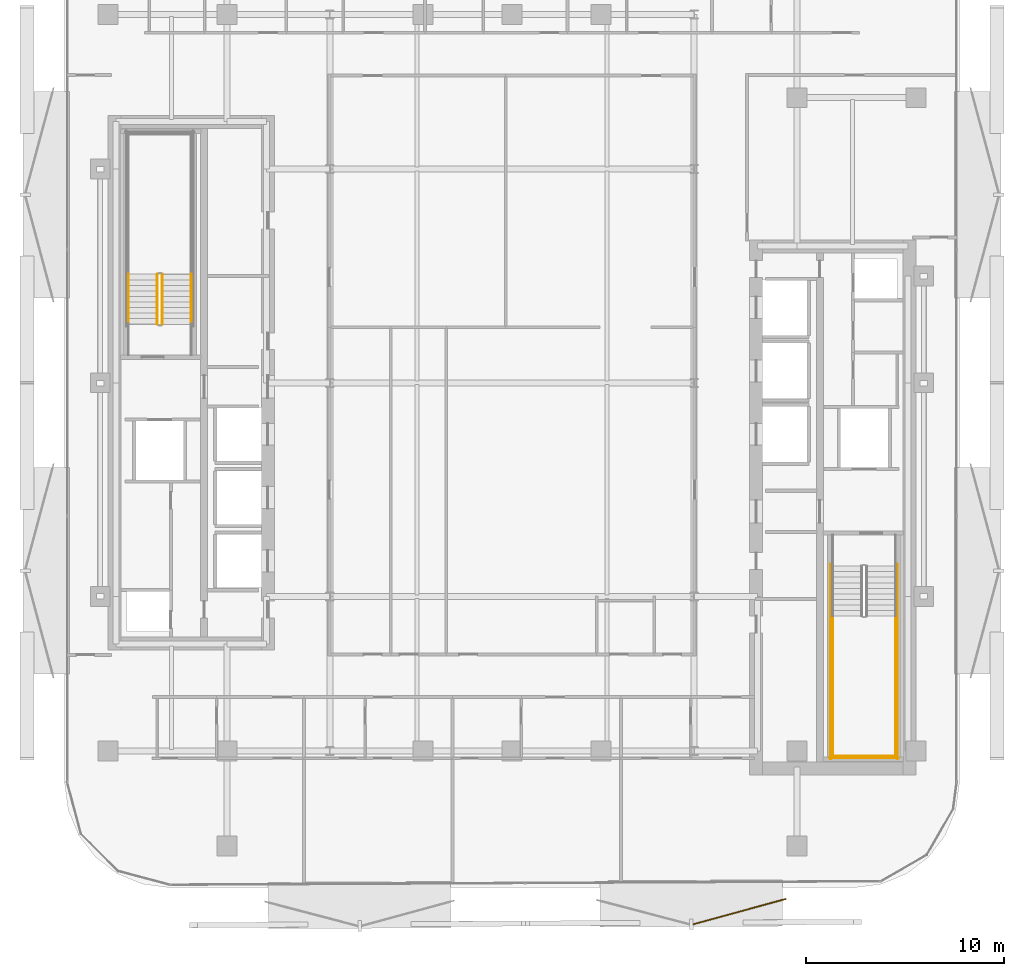
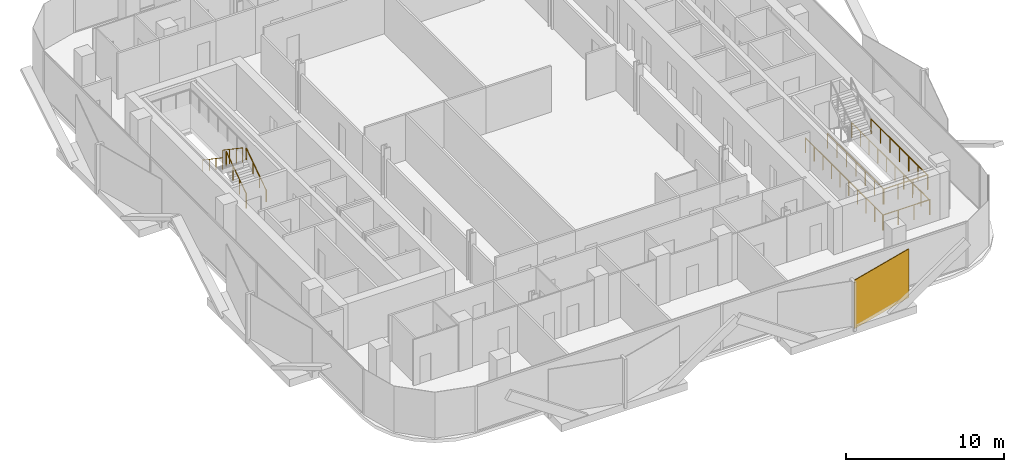
# One storey, part 14 of 17: 10 railings, 1 covering.
"""IFC4 building model written with IfcOpenShell, lengths in metres."""

from ifc_helpers import new_model, si_unit, direction, frame, origin, origin_2d, place, context, subcontext, project, spatial, rectangle, circle, extrude, material, layer, layer_set, type_object, element, save


model = new_model("IFC4")

# Units and contexts
model_context = context("Model", 3, precision=1e-05, world=origin(), true_north=direction((0.0, 1.0)))
body_context = subcontext(model_context, "Body", "Model", "MODEL_VIEW")
ifc_project = project(units=[si_unit("LENGTHUNIT", "METRE"), si_unit("AREAUNIT", "SQUARE_METRE"), si_unit("VOLUMEUNIT", "CUBIC_METRE"), si_unit("PLANEANGLEUNIT", "RADIAN"), si_unit("MASSUNIT", "GRAM", prefix="KILO")], contexts=[model_context])

# Site, building, storey
site_placement = place(None, origin())
site = spatial("IfcSite", under=ifc_project, at=site_placement, CompositionType="ELEMENT")
building_placement = place(site_placement, origin())
building = spatial("IfcBuilding", under=site, at=building_placement, Name="Khairoan Windgate Tower", CompositionType="ELEMENT")
storey_placement = place(building_placement, frame((0.0, 0.0, 191.60009765625)))
storey = spatial("IfcBuildingStorey", under=building, at=storey_placement, Name="L44", CompositionType="ELEMENT", Elevation=191.60009765625)

# Covering
ifc_material_1 = material(Name="Anodised Bronze Aluminium 6063-T6", Category="aluminium")
ifc_layer = layer(ifc_material_1, 0.054931640625, Name="Anodised Bronze Aluminium 6063-T6")
ifc_layer_set = layer_set([ifc_layer], Name="Anodised Bronze Aluminium 6063-T6")
covering_type = type_object("IfcCoveringType", Name="Perforated Bronze-Ceramic Folded Solar Screen Cladding BSC-1", PredefinedType="CLADDING", material=ifc_layer_set)
covering_placement = place(storey_placement, frame((11.498779296875, -26.708984375, -0.10009765625), z_axis=(0.0, 0.0, 1.0), x_axis=(-0.964649468762, -0.263536339841, 0.0)))
element("IfcCovering", 1, at=covering_placement, inside=storey, type_object=covering_type, Name="L44 Folded Bronze Solar Screen Facet 289L", PredefinedType="CLADDING", context=body_context, shape_type="SweptSolid", body=[
    extrude(rectangle(XDim=4.861083984375, YDim=0.054931640625, at=origin_2d()), origin(), (0.0, 0.0, 1.0), 3.739990234375),
])

# Railings
ifc_material_2 = material(Name="Anodised Bronze Aluminium 6063-T6", Category="aluminium")
railing_type_1 = type_object("IfcRailingType", Name="Stair Wall Handrail SHR-900", PredefinedType="HANDRAIL", material=ifc_material_2)
railing_1_placement = place(storey_placement, frame((-16.199951171875, 2.9599609375, 0.18994140625)))
element("IfcRailing", 2, at=railing_1_placement, inside=storey, type_object=railing_type_1, Name="L44 ST2 stair handrail 1", PredefinedType="HANDRAIL", context=body_context, shape_type="SweptSolid", body=[
    extrude(circle(Radius=0.02392578125, at=origin_2d()), frame((0.0, 0.0, 0.8759765625), z_axis=(0.0, 0.827483756001, 0.561489655786), x_axis=(-1.0, 0.0, 0.0)), (0.0, 0.0, 1.0), 3.04541015625),
    extrude(circle(Radius=0.02099609375, at=origin_2d()), origin(), (0.0, 0.0, 1.0), 0.851806640625),
    extrude(circle(Radius=0.02099609375, at=origin_2d()), frame((0.0, 0.840087890625, 0.570068359375)), (0.0, 0.0, 1.0), 0.851806640625),
    extrude(circle(Radius=0.02099609375, at=origin_2d()), frame((0.0, 1.679931640625, 1.139892578125)), (0.0, 0.0, 1.0), 0.851806640625),
    extrude(circle(Radius=0.02099609375, at=origin_2d()), frame((0.0, 2.52001953125, 1.7099609375)), (0.0, 0.0, 1.0), 0.851806640625),
])
railing_2_placement = place(storey_placement, frame((-19.3701171875, 5.47998046875, 2.08984375)))
element("IfcRailing", 3, at=railing_2_placement, inside=storey, type_object=railing_type_1, Name="L44 ST2 stair handrail 2", PredefinedType="HANDRAIL", context=body_context, shape_type="SweptSolid", body=[
    extrude(circle(Radius=0.02392578125, at=origin_2d()), frame((0.0, 0.0, 0.8759765625), z_axis=(0.0, -0.827483756001, 0.561489655786), x_axis=(1.0, 0.0, 0.0)), (0.0, 0.0, 1.0), 3.04541015625),
    extrude(circle(Radius=0.02099609375, at=origin_2d()), origin(), (0.0, 0.0, 1.0), 0.851806640625),
    extrude(circle(Radius=0.02099609375, at=origin_2d()), frame((0.0, -0.840087890625, 0.570068359375)), (0.0, 0.0, 1.0), 0.851806640625),
    extrude(circle(Radius=0.02099609375, at=origin_2d()), frame((0.0, -1.679931640625, 1.139892578125)), (0.0, 0.0, 1.0), 0.851806640625),
    extrude(circle(Radius=0.02099609375, at=origin_2d()), frame((0.0, -2.52001953125, 1.7099609375)), (0.0, 0.0, 1.0), 0.851806640625),
])
ifc_material_3 = material(Name="Steel S355", Category="steel")
railing_type_2 = type_object("IfcRailingType", Name="Stairwell Safety Guardrail SGR-1150", PredefinedType="GUARDRAIL", material=ifc_material_3)
for number, where, name in (
    (4, (16.199951171875, -11.780029296875, 1.89990234375), "L44 ST1 stair guard 3"),
    (5, (19.3701171875, -11.780029296875, 1.89990234375), "L44 ST1 stair guard 4"),
):
    element("IfcRailing", number, at=place(storey_placement, frame(where)), inside=storey, type_object=railing_type_2, Name=name, PredefinedType="GUARDRAIL", context=body_context, shape_type="SweptSolid", body=[
        extrude(circle(Radius=0.02392578125, at=origin_2d()), frame((0.0, 0.0, 1.1259765625), z_axis=(0.0, -1.0, 0.0), x_axis=(1.0, 0.0, 0.0)), (0.0, 0.0, 1.0), 7.119873046875),
        extrude(circle(Radius=0.02099609375, at=origin_2d()), origin(), (0.0, 0.0, 1.0), 1.101806640625),
        extrude(circle(Radius=0.02099609375, at=origin_2d()), frame((0.0, -1.1865234375, 0.0)), (0.0, 0.0, 1.0), 1.101806640625),
        extrude(circle(Radius=0.02099609375, at=origin_2d()), frame((0.0, -2.373291015625, 0.0)), (0.0, 0.0, 1.0), 1.101806640625),
        extrude(circle(Radius=0.02099609375, at=origin_2d()), frame((0.0, -3.56005859375, 0.0)), (0.0, 0.0, 1.0), 1.101806640625),
        extrude(circle(Radius=0.02099609375, at=origin_2d()), frame((0.0, -4.74658203125, 0.0)), (0.0, 0.0, 1.0), 1.101806640625),
        extrude(circle(Radius=0.02099609375, at=origin_2d()), frame((0.0, -5.93310546875, 0.0)), (0.0, 0.0, 1.0), 1.101806640625),
        extrude(circle(Radius=0.02099609375, at=origin_2d()), frame((0.0, -7.119873046875, 0.0)), (0.0, 0.0, 1.0), 1.101806640625),
    ])
railing_3_placement = place(storey_placement, frame((16.14990234375, -18.85009765625, 1.89990234375)))
element("IfcRailing", 6, at=railing_3_placement, inside=storey, type_object=railing_type_2, Name="L44 ST1 stair guard 5", PredefinedType="GUARDRAIL", context=body_context, shape_type="SweptSolid", body=[
    extrude(circle(Radius=0.02392578125, at=origin_2d()), frame((0.0, 0.0, 1.1259765625), z_axis=(1.0, 0.0, 0.0), x_axis=(0.0, 1.0, 0.0)), (0.0, 0.0, 1.0), 3.27001953125),
    extrude(circle(Radius=0.02099609375, at=origin_2d()), origin(), (0.0, 0.0, 1.0), 1.101806640625),
    extrude(circle(Radius=0.02099609375, at=origin_2d()), frame((1.090087890625, 0.0, 0.0)), (0.0, 0.0, 1.0), 1.101806640625),
    extrude(circle(Radius=0.02099609375, at=origin_2d()), frame((2.179931640625, 0.0, 0.0)), (0.0, 0.0, 1.0), 1.101806640625),
    extrude(circle(Radius=0.02099609375, at=origin_2d()), frame((3.27001953125, 0.0, 0.0)), (0.0, 0.0, 1.0), 1.101806640625),
])
for number, where, name in (
    (7, (16.10009765625, -9.159912109375, 0.0), "L44 ST1 stair guard 10"),
    (8, (19.469970703125, -9.159912109375, 0.0), "L44 ST1 stair guard 11"),
):
    element("IfcRailing", number, at=place(storey_placement, frame(where)), inside=storey, type_object=railing_type_2, Name=name, PredefinedType="GUARDRAIL", context=body_context, shape_type="SweptSolid", body=[
        extrude(circle(Radius=0.02392578125, at=origin_2d()), frame((0.0, 0.0, 1.1259765625), z_axis=(0.0, -1.0, 0.0), x_axis=(1.0, 0.0, 0.0)), (0.0, 0.0, 1.0), 9.840087890625),
        extrude(circle(Radius=0.02099609375, at=origin_2d()), origin(), (0.0, 0.0, 1.0), 1.101806640625),
        extrude(circle(Radius=0.02099609375, at=origin_2d()), frame((0.0, -1.09326171875, 0.0)), (0.0, 0.0, 1.0), 1.101806640625),
        extrude(circle(Radius=0.02099609375, at=origin_2d()), frame((0.0, -2.186767578125, 0.0)), (0.0, 0.0, 1.0), 1.101806640625),
        extrude(circle(Radius=0.02099609375, at=origin_2d()), frame((0.0, -3.280029296875, 0.0)), (0.0, 0.0, 1.0), 1.101806640625),
        extrude(circle(Radius=0.02099609375, at=origin_2d()), frame((0.0, -4.373291015625, 0.0)), (0.0, 0.0, 1.0), 1.101806640625),
        extrude(circle(Radius=0.02099609375, at=origin_2d()), frame((0.0, -5.466796875, 0.0)), (0.0, 0.0, 1.0), 1.101806640625),
        extrude(circle(Radius=0.02099609375, at=origin_2d()), frame((0.0, -6.56005859375, 0.0)), (0.0, 0.0, 1.0), 1.101806640625),
        extrude(circle(Radius=0.02099609375, at=origin_2d()), frame((0.0, -7.6533203125, 0.0)), (0.0, 0.0, 1.0), 1.101806640625),
        extrude(circle(Radius=0.02099609375, at=origin_2d()), frame((0.0, -8.746826171875, 0.0)), (0.0, 0.0, 1.0), 1.101806640625),
        extrude(circle(Radius=0.02099609375, at=origin_2d()), frame((0.0, -9.840087890625, 0.0)), (0.0, 0.0, 1.0), 1.101806640625),
    ])
railing_4_placement = place(storey_placement, frame((16.050048828125, -18.949951171875, 0.0)))
element("IfcRailing", 9, at=railing_4_placement, inside=storey, type_object=railing_type_2, Name="L44 ST1 stair guard 12", PredefinedType="GUARDRAIL", context=body_context, shape_type="SweptSolid", body=[
    extrude(circle(Radius=0.02392578125, at=origin_2d()), frame((0.0, 0.0, 1.1259765625), z_axis=(1.0, 0.0, 0.0), x_axis=(0.0, 1.0, 0.0)), (0.0, 0.0, 1.0), 3.469970703125),
    extrude(circle(Radius=0.02099609375, at=origin_2d()), origin(), (0.0, 0.0, 1.0), 1.101806640625),
    extrude(circle(Radius=0.02099609375, at=origin_2d()), frame((1.15673828125, 0.0, 0.0)), (0.0, 0.0, 1.0), 1.101806640625),
    extrude(circle(Radius=0.02099609375, at=origin_2d()), frame((2.313232421875, 0.0, 0.0)), (0.0, 0.0, 1.0), 1.101806640625),
    extrude(circle(Radius=0.02099609375, at=origin_2d()), frame((3.469970703125, 0.0, 0.0)), (0.0, 0.0, 1.0), 1.101806640625),
])
railing_5_placement = place(storey_placement, frame((-17.659912109375, 2.9599609375, 0.18994140625)))
element("IfcRailing", 10, at=railing_5_placement, inside=storey, type_object=railing_type_2, Name="L44 ST2 stair guard 1", PredefinedType="GUARDRAIL", context=body_context, shape_type="SweptSolid", body=[
    extrude(circle(Radius=0.02392578125, at=origin_2d()), frame((0.0, 0.0, 1.1259765625), z_axis=(0.0, 0.827483756001, 0.561489655786), x_axis=(-1.0, 0.0, 0.0)), (0.0, 0.0, 1.0), 3.04541015625),
    extrude(circle(Radius=0.02099609375, at=origin_2d()), origin(), (0.0, 0.0, 1.0), 1.101806640625),
    extrude(circle(Radius=0.02099609375, at=origin_2d()), frame((0.0, 0.840087890625, 0.570068359375)), (0.0, 0.0, 1.0), 1.101806640625),
    extrude(circle(Radius=0.02099609375, at=origin_2d()), frame((0.0, 1.679931640625, 1.139892578125)), (0.0, 0.0, 1.0), 1.101806640625),
    extrude(circle(Radius=0.02099609375, at=origin_2d()), frame((0.0, 2.52001953125, 1.7099609375)), (0.0, 0.0, 1.0), 1.101806640625),
])
railing_6_placement = place(storey_placement, frame((-17.909912109375, 5.47998046875, 2.08984375)))
element("IfcRailing", 11, at=railing_6_placement, inside=storey, type_object=railing_type_2, Name="L44 ST2 stair guard 6", PredefinedType="GUARDRAIL", context=body_context, shape_type="SweptSolid", body=[
    extrude(circle(Radius=0.02392578125, at=origin_2d()), frame((0.0, 0.0, 1.1259765625), z_axis=(0.0, -0.827483756001, 0.561489655786), x_axis=(1.0, 0.0, 0.0)), (0.0, 0.0, 1.0), 3.04541015625),
    extrude(circle(Radius=0.02099609375, at=origin_2d()), origin(), (0.0, 0.0, 1.0), 1.101806640625),
    extrude(circle(Radius=0.02099609375, at=origin_2d()), frame((0.0, -0.840087890625, 0.570068359375)), (0.0, 0.0, 1.0), 1.101806640625),
    extrude(circle(Radius=0.02099609375, at=origin_2d()), frame((0.0, -1.679931640625, 1.139892578125)), (0.0, 0.0, 1.0), 1.101806640625),
    extrude(circle(Radius=0.02099609375, at=origin_2d()), frame((0.0, -2.52001953125, 1.7099609375)), (0.0, 0.0, 1.0), 1.101806640625),
])

save(model, "model.ifc")
